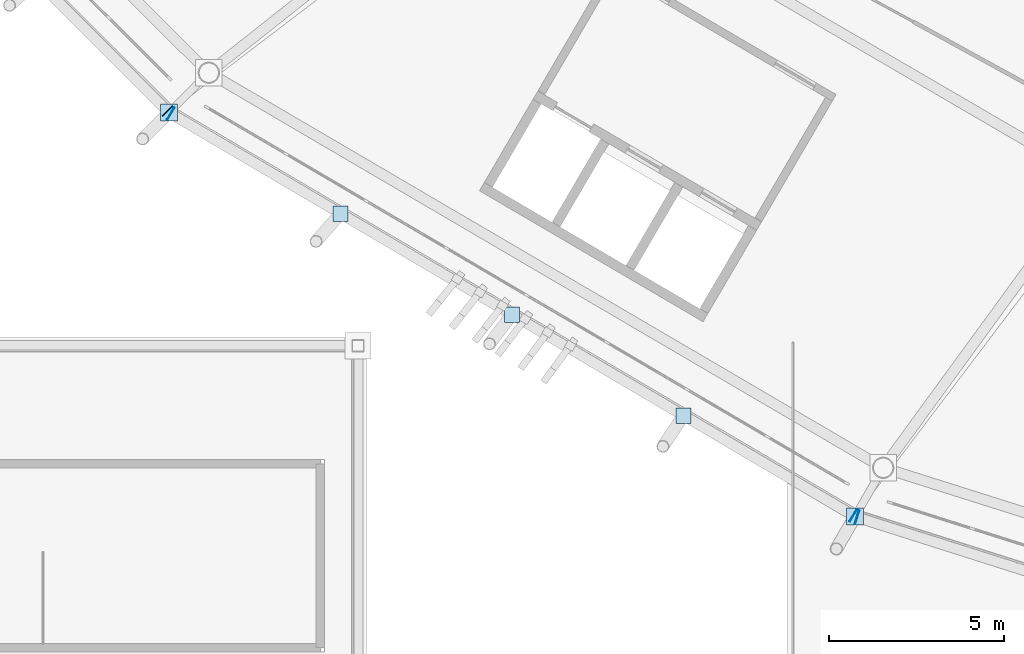
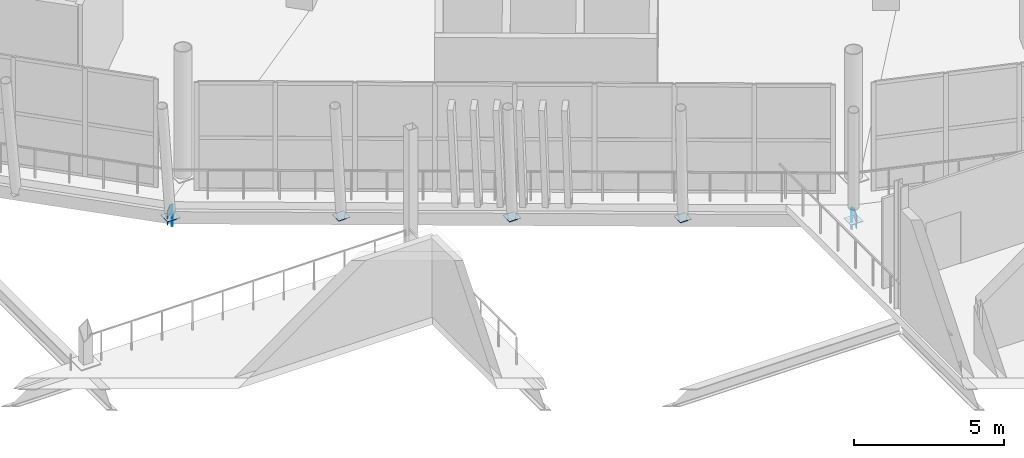
# One storey, part 103 of 178: 9 plates.
"""IFC4 building model written with IfcOpenShell, lengths in metres."""

from ifc_helpers import new_model, si_unit, direction, frame, origin, origin_2d, place, context, subcontext, project, spatial, rectangle, extrude, material, layer, layer_set, type_object, element, save


model = new_model("IFC4")

# Units and contexts
model_context = context("Model", 3, precision=1e-05, world=origin(), true_north=direction((0.0, 1.0)))
body_context = subcontext(model_context, "Body", "Model", "MODEL_VIEW")
ifc_project = project(units=[si_unit("LENGTHUNIT", "METRE"), si_unit("AREAUNIT", "SQUARE_METRE"), si_unit("VOLUMEUNIT", "CUBIC_METRE"), si_unit("PLANEANGLEUNIT", "RADIAN"), si_unit("MASSUNIT", "GRAM", prefix="KILO")], contexts=[model_context])

# Site, building, storey
site_placement = place(None, origin())
site = spatial("IfcSite", under=ifc_project, at=site_placement, CompositionType="ELEMENT")
building_placement = place(site_placement, origin())
building = spatial("IfcBuilding", under=site, at=building_placement, Name="Zlatoyarsky Gate Stadium", CompositionType="ELEMENT")
storey_placement = place(building_placement, frame((0.0, 0.0, 5.39990234375)))
storey = spatial("IfcBuildingStorey", under=building, at=storey_placement, Name="L01", CompositionType="ELEMENT", Elevation=5.39990234375)

# Plates
ifc_material = material(Name="Steel S355", Category="steel")
ifc_layer = layer(ifc_material, 0.02392578125)
ifc_layer_set = layer_set([ifc_layer], Name="Steel S355")
plate_type = type_object("IfcPlateType", Name="STEEL HOLLOW CHORD SPLICE SHEET 24", PredefinedType="SHEET", material=ifc_layer_set)
for number, where, z_axis, x_axis, name in (
    (1, (44.059326171875, 28.700439453125, -0.849853515625), (0.0, 0.0, 1.0), (0.707043292995, -0.707170263678, 0.0), "Hollow end cap ND-SP1 CAP-L01-SPD-14 B"),
    (2, (44.1533203125, 28.627685546875, -0.849853515625), (0.0, 0.0, 1.0), (0.861685850781, -0.50744210957, 0.0), "Hollow end cap ND-SP1 CAP-L01-SPD-15 A"),
    (3, (63.64404296875, 17.149658203125, -0.849853515625), (0.0, 0.0, 1.0), (0.861685850781, -0.50744210957, 0.0), "Hollow end cap ND-SP1 CAP-L01-SPD-15 B"),
):
    element("IfcPlate", number, at=place(storey_placement, frame(where, z_axis=z_axis, x_axis=x_axis)), inside=storey, type_object=plate_type, Name=name, PredefinedType="SHEET", context=body_context, shape_type="SweptSolid", body=[
        extrude(rectangle(XDim=0.02392578125, YDim=0.39990234375, at=origin_2d()), origin(), (0.0, 0.0, 1.0), 0.60009765625),
    ])
plate_1_placement = place(storey_placement, frame((44.101806640625, 28.657958984375, -0.61181640625), z_axis=(0.0, 0.0, 1.0), x_axis=(1.0, 0.0, 0.0)))
element("IfcPlate", 4, at=plate_1_placement, inside=storey, type_object=plate_type, Name="Node closure plate ND-SP1 NCAP-L01-RSTR-15", PredefinedType="SHEET", context=body_context, shape_type="SweptSolid", body=[
    extrude(rectangle(XDim=0.47998046875, YDim=0.47998046875, at=origin_2d()), origin(), (0.0, 0.0, 1.0), 0.02392578125),
])
plate_2_placement = place(storey_placement, frame((63.7529296875, 17.10107421875, -0.849853515625), z_axis=(0.0, 0.0, 1.0), x_axis=(0.953005501853, -0.302952988826, 0.0)))
element("IfcPlate", 5, at=plate_2_placement, inside=storey, type_object=plate_type, Name="Hollow end cap ND-SP1 CAP-L01-SPD-16 A", PredefinedType="SHEET", context=body_context, shape_type="SweptSolid", body=[
    extrude(rectangle(XDim=0.02392578125, YDim=0.39990234375, at=origin_2d()), origin(), (0.0, 0.0, 1.0), 0.60009765625),
])
plate_3_placement = place(storey_placement, frame((63.69580078125, 17.119140625, -0.61181640625), z_axis=(0.0, 0.0, 1.0), x_axis=(1.0, 0.0, 0.0)))
element("IfcPlate", 6, at=plate_3_placement, inside=storey, type_object=plate_type, Name="Node closure plate ND-SP1 NCAP-L01-RSTR-16", PredefinedType="SHEET", context=body_context, shape_type="SweptSolid", body=[
    extrude(rectangle(XDim=0.47998046875, YDim=0.47998046875, at=origin_2d()), origin(), (0.0, 0.0, 1.0), 0.02392578125),
])
for number, where, z_axis, x_axis, name in (
    (7, (49.000244140625, 25.773193359375, -0.561767578125), (0.0, 0.0, 1.0), (1.0, 0.0, 0.0), "Node closure plate ND-SP1 NCAP-RIB-15-1-0B"),
    (8, (53.898681640625, 22.888671875, -0.561767578125), (0.0, 0.0, 1.0), (1.0, 0.0, 0.0), "Node closure plate ND-SP1 NCAP-RIB-15-2-0B"),
    (9, (58.797119140625, 20.00390625, -0.561767578125), (0.0, 0.0, 1.0), (1.0, 0.0, 0.0), "Node closure plate ND-SP1 NCAP-RIB-15-3-0B"),
):
    element("IfcPlate", number, at=place(storey_placement, frame(where, z_axis=z_axis, x_axis=x_axis)), inside=storey, type_object=plate_type, Name=name, PredefinedType="SHEET", context=body_context, shape_type="SweptSolid", body=[
        extrude(rectangle(XDim=0.43994140625, YDim=0.43994140625, at=origin_2d()), origin(), (0.0, 0.0, 1.0), 0.02392578125),
    ])

save(model, "model.ifc")
